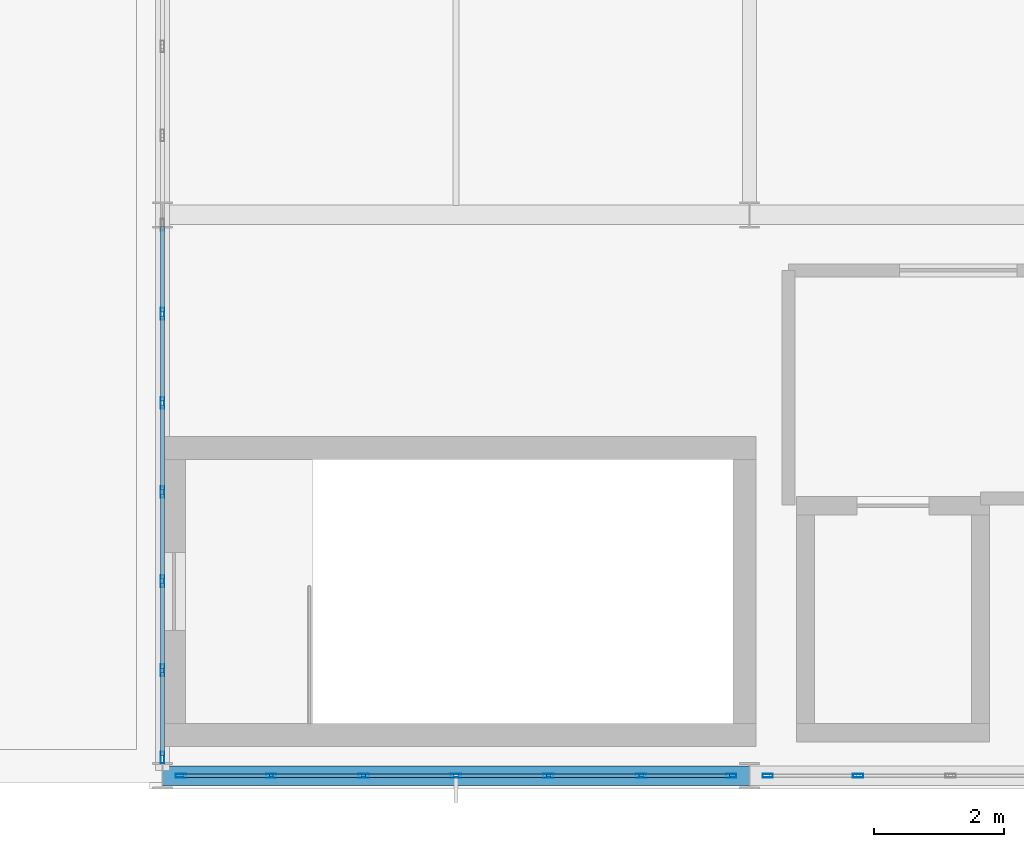
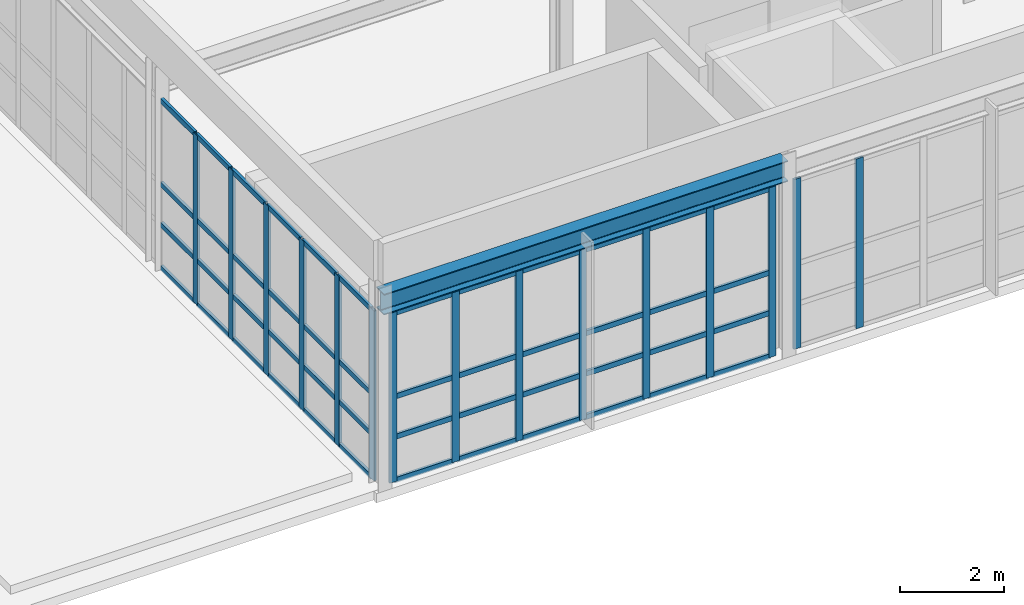
# One storey, part 6 of 38: 63 members, 1 beam, 3 elements without a shape of their own.
"""IFC4 building model written with IfcOpenShell, lengths in metres."""

from ifc_helpers import new_model, si_unit, direction, frame, origin, origin_2d, place, context, subcontext, project, spatial, hollow_rectangle, i_section, extrude, material, material_profile, profile_set, type_object, element, aggregate, save


model = new_model("IFC4")

# Units and contexts
model_context = context("Model", 3, precision=1e-05, world=origin(), true_north=direction((0.0, 1.0)))
body_context = subcontext(model_context, "Body", "Model", "MODEL_VIEW")
ifc_project = project(units=[si_unit("LENGTHUNIT", "METRE"), si_unit("AREAUNIT", "SQUARE_METRE"), si_unit("VOLUMEUNIT", "CUBIC_METRE"), si_unit("PLANEANGLEUNIT", "RADIAN"), si_unit("MASSUNIT", "GRAM", prefix="KILO")], contexts=[model_context])

# Site, building, storey
site_placement = place(None, origin())
site = spatial("IfcSite", under=ifc_project, at=site_placement, CompositionType="ELEMENT")
building_placement = place(site_placement, origin())
building = spatial("IfcBuilding", under=site, at=building_placement, Name="Kaldris Quays Convention Centre", CompositionType="ELEMENT")
storey_placement = place(building_placement, frame((0.0, 0.0, 21.60009765625)))
storey = spatial("IfcBuildingStorey", under=building, at=storey_placement, Name="L04", CompositionType="ELEMENT", Elevation=21.60009765625)

# Curtain wall, members
ifc_material_1 = material(Name="Anodized aluminium AW-6060 and triple glazing", Category="aluminium")
curtain_wall_type = type_object("IfcCurtainWallType", Name="UNITISED CURTAIN WALL CW04", PredefinedType="NOTDEFINED", material=ifc_material_1)
curtain_wall_1_placement = place(storey_placement, origin())
curtain_wall_1 = element("IfcCurtainWall", 1, at=curtain_wall_1_placement, inside=storey, type_object=curtain_wall_type, Name="L04 Unitised Curtain Wall CW04 129", PredefinedType="NOTDEFINED")
ifc_material_2 = material(Name="Anodized aluminium AW-6060", Category="aluminium")
ifc_material_profile_1 = material_profile(ifc_material_2, hollow_rectangle(XDim=0.06005859375, YDim=0.159912109375, WallThickness=0.00390625, at=origin_2d()), Name="RHS 160x60x4")
ifc_profile_set_1 = profile_set([ifc_material_profile_1], Name="Anodized aluminium AW-6060")
member_type_1 = type_object("IfcMemberType", Name="CURTAIN MULLION CWM1", PredefinedType="MULLION", material=ifc_profile_set_1)
member_1_placement = place(storey_placement, frame((92.280029296875, 38.0, 0.0), z_axis=(0.0, 0.0, 1.0), x_axis=(0.0, 1.0, 0.0)))
member_1 = element("IfcMember", 2, at=member_1_placement, type_object=member_type_1, Name="CW04 mullion 1", PredefinedType="MULLION", context=body_context, shape_type="SweptSolid", body=[
    extrude(hollow_rectangle(XDim=0.06005859375, YDim=0.159912109375, WallThickness=0.00390625, at=origin_2d()), origin(), (0.0, 0.0, 1.0), 4.0),
])
member_2_placement = place(storey_placement, frame((93.666748046875, 38.0, 0.0), z_axis=(0.0, 0.0, 1.0), x_axis=(0.0, 1.0, 0.0)))
member_2 = element("IfcMember", 3, at=member_2_placement, type_object=member_type_1, Name="CW04 mullion 2", PredefinedType="MULLION", context=body_context, shape_type="SweptSolid", body=[
    extrude(hollow_rectangle(XDim=0.06005859375, YDim=0.159912109375, WallThickness=0.00390625, at=origin_2d()), origin(), (0.0, 0.0, 1.0), 4.0),
])
member_3_placement = place(storey_placement, frame((95.083251953125, 38.0, 0.0), z_axis=(0.0, 0.0, 1.0), x_axis=(0.0, 1.0, 0.0)))
member_3 = element("IfcMember", 4, at=member_3_placement, type_object=member_type_1, Name="CW04 mullion 3", PredefinedType="MULLION", context=body_context, shape_type="SweptSolid", body=[
    extrude(hollow_rectangle(XDim=0.06005859375, YDim=0.159912109375, WallThickness=0.00390625, at=origin_2d()), origin(), (0.0, 0.0, 1.0), 4.0),
])
member_4_placement = place(storey_placement, frame((96.5, 38.0, 0.0), z_axis=(0.0, 0.0, 1.0), x_axis=(0.0, 1.0, 0.0)))
member_4 = element("IfcMember", 5, at=member_4_placement, type_object=member_type_1, Name="CW04 mullion 4", PredefinedType="MULLION", context=body_context, shape_type="SweptSolid", body=[
    extrude(hollow_rectangle(XDim=0.06005859375, YDim=0.159912109375, WallThickness=0.00390625, at=origin_2d()), origin(), (0.0, 0.0, 1.0), 4.0),
])
member_5_placement = place(storey_placement, frame((97.916748046875, 38.0, 0.0), z_axis=(0.0, 0.0, 1.0), x_axis=(0.0, 1.0, 0.0)))
member_5 = element("IfcMember", 6, at=member_5_placement, type_object=member_type_1, Name="CW04 mullion 5", PredefinedType="MULLION", context=body_context, shape_type="SweptSolid", body=[
    extrude(hollow_rectangle(XDim=0.06005859375, YDim=0.159912109375, WallThickness=0.00390625, at=origin_2d()), origin(), (0.0, 0.0, 1.0), 4.0),
])
member_6_placement = place(storey_placement, frame((99.333251953125, 38.0, 0.0), z_axis=(0.0, 0.0, 1.0), x_axis=(0.0, 1.0, 0.0)))
member_6 = element("IfcMember", 7, at=member_6_placement, type_object=member_type_1, Name="CW04 mullion 6", PredefinedType="MULLION", context=body_context, shape_type="SweptSolid", body=[
    extrude(hollow_rectangle(XDim=0.06005859375, YDim=0.159912109375, WallThickness=0.00390625, at=origin_2d()), origin(), (0.0, 0.0, 1.0), 4.0),
])
member_7_placement = place(storey_placement, frame((100.719970703125, 38.0, 0.0), z_axis=(0.0, 0.0, 1.0), x_axis=(0.0, 1.0, 0.0)))
member_7 = element("IfcMember", 8, at=member_7_placement, type_object=member_type_1, Name="CW04 mullion 7", PredefinedType="MULLION", context=body_context, shape_type="SweptSolid", body=[
    extrude(hollow_rectangle(XDim=0.06005859375, YDim=0.159912109375, WallThickness=0.00390625, at=origin_2d()), origin(), (0.0, 0.0, 1.0), 4.0),
])

curtain_wall_2_placement = place(storey_placement, origin())
curtain_wall_2 = element("IfcCurtainWall", 9, at=curtain_wall_2_placement, inside=storey, type_object=curtain_wall_type, Name="L04 Unitised Curtain Wall CW04 130", PredefinedType="NOTDEFINED")
member_8_placement = place(storey_placement, frame((101.280029296875, 38.0, 0.0), z_axis=(0.0, 0.0, 1.0), x_axis=(0.0, 1.0, 0.0)))
member_8 = element("IfcMember", 10, at=member_8_placement, type_object=member_type_1, Name="CW04 mullion 1", PredefinedType="MULLION", context=body_context, shape_type="SweptSolid", body=[
    extrude(hollow_rectangle(XDim=0.06005859375, YDim=0.159912109375, WallThickness=0.00390625, at=origin_2d()), origin(), (0.0, 0.0, 1.0), 4.0),
])
member_9_placement = place(storey_placement, frame((102.666748046875, 38.0, 0.0), z_axis=(0.0, 0.0, 1.0), x_axis=(0.0, 1.0, 0.0)))
member_9 = element("IfcMember", 11, at=member_9_placement, type_object=member_type_1, Name="CW04 mullion 2", PredefinedType="MULLION", context=body_context, shape_type="SweptSolid", body=[
    extrude(hollow_rectangle(XDim=0.06005859375, YDim=0.159912109375, WallThickness=0.00390625, at=origin_2d()), origin(), (0.0, 0.0, 1.0), 4.0),
])
aggregate(curtain_wall_2, [member_8, member_9])

curtain_wall_3_placement = place(storey_placement, origin())
curtain_wall_3 = element("IfcCurtainWall", 12, at=curtain_wall_3_placement, inside=storey, type_object=curtain_wall_type, Name="L04 Unitised Curtain Wall CW04 135", PredefinedType="NOTDEFINED")
ifc_material_profile_2 = material_profile(ifc_material_2, hollow_rectangle(XDim=0.06005859375, YDim=0.179931640625, WallThickness=0.0048828125, at=origin_2d()), Name="RHS 180x60x5")
ifc_profile_set_2 = profile_set([ifc_material_profile_2], Name="Anodized aluminium AW-6060")
member_type_2 = type_object("IfcMemberType", Name="CURTAIN MULLION CWM2", PredefinedType="MULLION", material=ifc_profile_set_2)
member_10_placement = place(storey_placement, frame((92.0, 38.280029296875, 0.0), z_axis=(0.0, 0.0, 1.0), x_axis=(-1.0, 0.0, 0.0)))
member_10 = element("IfcMember", 13, at=member_10_placement, type_object=member_type_2, Name="CW04 mullion 1", PredefinedType="MULLION", context=body_context, shape_type="SweptSolid", body=[
    extrude(hollow_rectangle(XDim=0.06005859375, YDim=0.179931640625, WallThickness=0.0048828125, at=origin_2d()), origin(), (0.0, 0.0, 1.0), 4.0),
])
member_11_placement = place(storey_placement, frame((92.0, 39.61669921875, 0.0), z_axis=(0.0, 0.0, 1.0), x_axis=(-1.0, 0.0, 0.0)))
member_11 = element("IfcMember", 14, at=member_11_placement, type_object=member_type_2, Name="CW04 mullion 2", PredefinedType="MULLION", context=body_context, shape_type="SweptSolid", body=[
    extrude(hollow_rectangle(XDim=0.06005859375, YDim=0.179931640625, WallThickness=0.0048828125, at=origin_2d()), origin(), (0.0, 0.0, 1.0), 4.0),
])
member_12_placement = place(storey_placement, frame((92.0, 40.9833984375, 0.0), z_axis=(0.0, 0.0, 1.0), x_axis=(-1.0, 0.0, 0.0)))
member_12 = element("IfcMember", 15, at=member_12_placement, type_object=member_type_2, Name="CW04 mullion 3", PredefinedType="MULLION", context=body_context, shape_type="SweptSolid", body=[
    extrude(hollow_rectangle(XDim=0.06005859375, YDim=0.179931640625, WallThickness=0.0048828125, at=origin_2d()), origin(), (0.0, 0.0, 1.0), 4.0),
])
member_13_placement = place(storey_placement, frame((92.0, 42.35009765625, 0.0), z_axis=(0.0, 0.0, 1.0), x_axis=(-1.0, 0.0, 0.0)))
member_13 = element("IfcMember", 16, at=member_13_placement, type_object=member_type_2, Name="CW04 mullion 4", PredefinedType="MULLION", context=body_context, shape_type="SweptSolid", body=[
    extrude(hollow_rectangle(XDim=0.06005859375, YDim=0.179931640625, WallThickness=0.0048828125, at=origin_2d()), origin(), (0.0, 0.0, 1.0), 4.0),
])
member_14_placement = place(storey_placement, frame((92.0, 43.716552734375, 0.0), z_axis=(0.0, 0.0, 1.0), x_axis=(-1.0, 0.0, 0.0)))
member_14 = element("IfcMember", 17, at=member_14_placement, type_object=member_type_2, Name="CW04 mullion 5", PredefinedType="MULLION", context=body_context, shape_type="SweptSolid", body=[
    extrude(hollow_rectangle(XDim=0.06005859375, YDim=0.179931640625, WallThickness=0.0048828125, at=origin_2d()), origin(), (0.0, 0.0, 1.0), 4.0),
])
member_15_placement = place(storey_placement, frame((92.0, 45.083251953125, 0.0), z_axis=(0.0, 0.0, 1.0), x_axis=(-1.0, 0.0, 0.0)))
member_15 = element("IfcMember", 18, at=member_15_placement, type_object=member_type_2, Name="CW04 mullion 6", PredefinedType="MULLION", context=body_context, shape_type="SweptSolid", body=[
    extrude(hollow_rectangle(XDim=0.06005859375, YDim=0.179931640625, WallThickness=0.0048828125, at=origin_2d()), origin(), (0.0, 0.0, 1.0), 4.0),
])

# Member
ifc_material_profile_3 = material_profile(ifc_material_2, hollow_rectangle(XDim=0.06005859375, YDim=0.1201171875, WallThickness=0.00390625, at=origin_2d()), Name="RHS 120x60x4")
ifc_profile_set_3 = profile_set([ifc_material_profile_3], Name="Anodized aluminium AW-6060")
member_type_3 = type_object("IfcMemberType", Name="CURTAIN TRANSOM CWT1", PredefinedType="USERDEFINED", material=ifc_profile_set_3)
member_16_placement = place(storey_placement, frame((92.31005859375, 38.0, 0.02978515625), z_axis=(1.0, 0.0, 0.0), x_axis=(0.0, 1.0, 0.0)))
member_16 = element("IfcMember", 19, at=member_16_placement, type_object=member_type_3, Name="CW04 transom 1.1", ObjectType="TRANSOM", PredefinedType="USERDEFINED", context=body_context, shape_type="SweptSolid", body=[
    extrude(hollow_rectangle(XDim=0.06005859375, YDim=0.1201171875, WallThickness=0.00390625, at=origin_2d()), origin(), (0.0, 0.0, 1.0), 1.32666015625),
])

member_17_placement = place(storey_placement, frame((92.31005859375, 38.0, 1.0498046875), z_axis=(1.0, 0.0, 0.0), x_axis=(0.0, 1.0, 0.0)))
member_17 = element("IfcMember", 20, at=member_17_placement, type_object=member_type_3, Name="CW04 transom 1.2", ObjectType="TRANSOM", PredefinedType="USERDEFINED", context=body_context, shape_type="SweptSolid", body=[
    extrude(hollow_rectangle(XDim=0.06005859375, YDim=0.1201171875, WallThickness=0.00390625, at=origin_2d()), origin(), (0.0, 0.0, 1.0), 1.32666015625),
])

member_18_placement = place(storey_placement, frame((92.31005859375, 38.0, 2.0), z_axis=(1.0, 0.0, 0.0), x_axis=(0.0, 1.0, 0.0)))
member_18 = element("IfcMember", 21, at=member_18_placement, type_object=member_type_3, Name="CW04 transom 1.3", ObjectType="TRANSOM", PredefinedType="USERDEFINED", context=body_context, shape_type="SweptSolid", body=[
    extrude(hollow_rectangle(XDim=0.06005859375, YDim=0.1201171875, WallThickness=0.00390625, at=origin_2d()), origin(), (0.0, 0.0, 1.0), 1.32666015625),
])

member_19_placement = place(storey_placement, frame((92.31005859375, 38.0, 3.969970703125), z_axis=(1.0, 0.0, 0.0), x_axis=(0.0, 1.0, 0.0)))
member_19 = element("IfcMember", 22, at=member_19_placement, type_object=member_type_3, Name="CW04 transom 1.4", ObjectType="TRANSOM", PredefinedType="USERDEFINED", context=body_context, shape_type="SweptSolid", body=[
    extrude(hollow_rectangle(XDim=0.06005859375, YDim=0.1201171875, WallThickness=0.00390625, at=origin_2d()), origin(), (0.0, 0.0, 1.0), 1.32666015625),
])

member_20_placement = place(storey_placement, frame((93.69677734375, 38.0, 0.02978515625), z_axis=(1.0, 0.0, 0.0), x_axis=(0.0, 1.0, 0.0)))
member_20 = element("IfcMember", 23, at=member_20_placement, type_object=member_type_3, Name="CW04 transom 2.1", ObjectType="TRANSOM", PredefinedType="USERDEFINED", context=body_context, shape_type="SweptSolid", body=[
    extrude(hollow_rectangle(XDim=0.06005859375, YDim=0.1201171875, WallThickness=0.00390625, at=origin_2d()), origin(), (0.0, 0.0, 1.0), 1.3564453125),
])

member_21_placement = place(storey_placement, frame((93.69677734375, 38.0, 1.0498046875), z_axis=(1.0, 0.0, 0.0), x_axis=(0.0, 1.0, 0.0)))
member_21 = element("IfcMember", 24, at=member_21_placement, type_object=member_type_3, Name="CW04 transom 2.2", ObjectType="TRANSOM", PredefinedType="USERDEFINED", context=body_context, shape_type="SweptSolid", body=[
    extrude(hollow_rectangle(XDim=0.06005859375, YDim=0.1201171875, WallThickness=0.00390625, at=origin_2d()), origin(), (0.0, 0.0, 1.0), 1.3564453125),
])

member_22_placement = place(storey_placement, frame((93.69677734375, 38.0, 2.0), z_axis=(1.0, 0.0, 0.0), x_axis=(0.0, 1.0, 0.0)))
member_22 = element("IfcMember", 25, at=member_22_placement, type_object=member_type_3, Name="CW04 transom 2.3", ObjectType="TRANSOM", PredefinedType="USERDEFINED", context=body_context, shape_type="SweptSolid", body=[
    extrude(hollow_rectangle(XDim=0.06005859375, YDim=0.1201171875, WallThickness=0.00390625, at=origin_2d()), origin(), (0.0, 0.0, 1.0), 1.3564453125),
])

member_23_placement = place(storey_placement, frame((93.69677734375, 38.0, 3.969970703125), z_axis=(1.0, 0.0, 0.0), x_axis=(0.0, 1.0, 0.0)))
member_23 = element("IfcMember", 26, at=member_23_placement, type_object=member_type_3, Name="CW04 transom 2.4", ObjectType="TRANSOM", PredefinedType="USERDEFINED", context=body_context, shape_type="SweptSolid", body=[
    extrude(hollow_rectangle(XDim=0.06005859375, YDim=0.1201171875, WallThickness=0.00390625, at=origin_2d()), origin(), (0.0, 0.0, 1.0), 1.3564453125),
])

member_24_placement = place(storey_placement, frame((95.11328125, 38.0, 0.02978515625), z_axis=(1.0, 0.0, 0.0), x_axis=(0.0, 1.0, 0.0)))
member_24 = element("IfcMember", 27, at=member_24_placement, type_object=member_type_3, Name="CW04 transom 3.1", ObjectType="TRANSOM", PredefinedType="USERDEFINED", context=body_context, shape_type="SweptSolid", body=[
    extrude(hollow_rectangle(XDim=0.06005859375, YDim=0.1201171875, WallThickness=0.00390625, at=origin_2d()), origin(), (0.0, 0.0, 1.0), 1.356689453125),
])

member_25_placement = place(storey_placement, frame((95.11328125, 38.0, 1.0498046875), z_axis=(1.0, 0.0, 0.0), x_axis=(0.0, 1.0, 0.0)))
member_25 = element("IfcMember", 28, at=member_25_placement, type_object=member_type_3, Name="CW04 transom 3.2", ObjectType="TRANSOM", PredefinedType="USERDEFINED", context=body_context, shape_type="SweptSolid", body=[
    extrude(hollow_rectangle(XDim=0.06005859375, YDim=0.1201171875, WallThickness=0.00390625, at=origin_2d()), origin(), (0.0, 0.0, 1.0), 1.356689453125),
])

member_26_placement = place(storey_placement, frame((95.11328125, 38.0, 2.0), z_axis=(1.0, 0.0, 0.0), x_axis=(0.0, 1.0, 0.0)))
member_26 = element("IfcMember", 29, at=member_26_placement, type_object=member_type_3, Name="CW04 transom 3.3", ObjectType="TRANSOM", PredefinedType="USERDEFINED", context=body_context, shape_type="SweptSolid", body=[
    extrude(hollow_rectangle(XDim=0.06005859375, YDim=0.1201171875, WallThickness=0.00390625, at=origin_2d()), origin(), (0.0, 0.0, 1.0), 1.356689453125),
])

member_27_placement = place(storey_placement, frame((95.11328125, 38.0, 3.969970703125), z_axis=(1.0, 0.0, 0.0), x_axis=(0.0, 1.0, 0.0)))
member_27 = element("IfcMember", 30, at=member_27_placement, type_object=member_type_3, Name="CW04 transom 3.4", ObjectType="TRANSOM", PredefinedType="USERDEFINED", context=body_context, shape_type="SweptSolid", body=[
    extrude(hollow_rectangle(XDim=0.06005859375, YDim=0.1201171875, WallThickness=0.00390625, at=origin_2d()), origin(), (0.0, 0.0, 1.0), 1.356689453125),
])

member_28_placement = place(storey_placement, frame((96.530029296875, 38.0, 0.02978515625), z_axis=(1.0, 0.0, 0.0), x_axis=(0.0, 1.0, 0.0)))
member_28 = element("IfcMember", 31, at=member_28_placement, type_object=member_type_3, Name="CW04 transom 4.1", ObjectType="TRANSOM", PredefinedType="USERDEFINED", context=body_context, shape_type="SweptSolid", body=[
    extrude(hollow_rectangle(XDim=0.06005859375, YDim=0.1201171875, WallThickness=0.00390625, at=origin_2d()), origin(), (0.0, 0.0, 1.0), 1.356689453125),
])

member_29_placement = place(storey_placement, frame((96.530029296875, 38.0, 1.0498046875), z_axis=(1.0, 0.0, 0.0), x_axis=(0.0, 1.0, 0.0)))
member_29 = element("IfcMember", 32, at=member_29_placement, type_object=member_type_3, Name="CW04 transom 4.2", ObjectType="TRANSOM", PredefinedType="USERDEFINED", context=body_context, shape_type="SweptSolid", body=[
    extrude(hollow_rectangle(XDim=0.06005859375, YDim=0.1201171875, WallThickness=0.00390625, at=origin_2d()), origin(), (0.0, 0.0, 1.0), 1.356689453125),
])

member_30_placement = place(storey_placement, frame((96.530029296875, 38.0, 2.0), z_axis=(1.0, 0.0, 0.0), x_axis=(0.0, 1.0, 0.0)))
member_30 = element("IfcMember", 33, at=member_30_placement, type_object=member_type_3, Name="CW04 transom 4.3", ObjectType="TRANSOM", PredefinedType="USERDEFINED", context=body_context, shape_type="SweptSolid", body=[
    extrude(hollow_rectangle(XDim=0.06005859375, YDim=0.1201171875, WallThickness=0.00390625, at=origin_2d()), origin(), (0.0, 0.0, 1.0), 1.356689453125),
])

member_31_placement = place(storey_placement, frame((96.530029296875, 38.0, 3.969970703125), z_axis=(1.0, 0.0, 0.0), x_axis=(0.0, 1.0, 0.0)))
member_31 = element("IfcMember", 34, at=member_31_placement, type_object=member_type_3, Name="CW04 transom 4.4", ObjectType="TRANSOM", PredefinedType="USERDEFINED", context=body_context, shape_type="SweptSolid", body=[
    extrude(hollow_rectangle(XDim=0.06005859375, YDim=0.1201171875, WallThickness=0.00390625, at=origin_2d()), origin(), (0.0, 0.0, 1.0), 1.356689453125),
])

member_32_placement = place(storey_placement, frame((97.94677734375, 38.0, 0.02978515625), z_axis=(1.0, 0.0, 0.0), x_axis=(0.0, 1.0, 0.0)))
member_32 = element("IfcMember", 35, at=member_32_placement, type_object=member_type_3, Name="CW04 transom 5.1", ObjectType="TRANSOM", PredefinedType="USERDEFINED", context=body_context, shape_type="SweptSolid", body=[
    extrude(hollow_rectangle(XDim=0.06005859375, YDim=0.1201171875, WallThickness=0.00390625, at=origin_2d()), origin(), (0.0, 0.0, 1.0), 1.3564453125),
])

member_33_placement = place(storey_placement, frame((97.94677734375, 38.0, 1.0498046875), z_axis=(1.0, 0.0, 0.0), x_axis=(0.0, 1.0, 0.0)))
member_33 = element("IfcMember", 36, at=member_33_placement, type_object=member_type_3, Name="CW04 transom 5.2", ObjectType="TRANSOM", PredefinedType="USERDEFINED", context=body_context, shape_type="SweptSolid", body=[
    extrude(hollow_rectangle(XDim=0.06005859375, YDim=0.1201171875, WallThickness=0.00390625, at=origin_2d()), origin(), (0.0, 0.0, 1.0), 1.3564453125),
])

member_34_placement = place(storey_placement, frame((97.94677734375, 38.0, 2.0), z_axis=(1.0, 0.0, 0.0), x_axis=(0.0, 1.0, 0.0)))
member_34 = element("IfcMember", 37, at=member_34_placement, type_object=member_type_3, Name="CW04 transom 5.3", ObjectType="TRANSOM", PredefinedType="USERDEFINED", context=body_context, shape_type="SweptSolid", body=[
    extrude(hollow_rectangle(XDim=0.06005859375, YDim=0.1201171875, WallThickness=0.00390625, at=origin_2d()), origin(), (0.0, 0.0, 1.0), 1.3564453125),
])

member_35_placement = place(storey_placement, frame((97.94677734375, 38.0, 3.969970703125), z_axis=(1.0, 0.0, 0.0), x_axis=(0.0, 1.0, 0.0)))
member_35 = element("IfcMember", 38, at=member_35_placement, type_object=member_type_3, Name="CW04 transom 5.4", ObjectType="TRANSOM", PredefinedType="USERDEFINED", context=body_context, shape_type="SweptSolid", body=[
    extrude(hollow_rectangle(XDim=0.06005859375, YDim=0.1201171875, WallThickness=0.00390625, at=origin_2d()), origin(), (0.0, 0.0, 1.0), 1.3564453125),
])

member_36_placement = place(storey_placement, frame((99.36328125, 38.0, 0.02978515625), z_axis=(1.0, 0.0, 0.0), x_axis=(0.0, 1.0, 0.0)))
member_36 = element("IfcMember", 39, at=member_36_placement, type_object=member_type_3, Name="CW04 transom 6.1", ObjectType="TRANSOM", PredefinedType="USERDEFINED", context=body_context, shape_type="SweptSolid", body=[
    extrude(hollow_rectangle(XDim=0.06005859375, YDim=0.1201171875, WallThickness=0.00390625, at=origin_2d()), origin(), (0.0, 0.0, 1.0), 1.32666015625),
])

member_37_placement = place(storey_placement, frame((99.36328125, 38.0, 1.0498046875), z_axis=(1.0, 0.0, 0.0), x_axis=(0.0, 1.0, 0.0)))
member_37 = element("IfcMember", 40, at=member_37_placement, type_object=member_type_3, Name="CW04 transom 6.2", ObjectType="TRANSOM", PredefinedType="USERDEFINED", context=body_context, shape_type="SweptSolid", body=[
    extrude(hollow_rectangle(XDim=0.06005859375, YDim=0.1201171875, WallThickness=0.00390625, at=origin_2d()), origin(), (0.0, 0.0, 1.0), 1.32666015625),
])

member_38_placement = place(storey_placement, frame((99.36328125, 38.0, 2.0), z_axis=(1.0, 0.0, 0.0), x_axis=(0.0, 1.0, 0.0)))
member_38 = element("IfcMember", 41, at=member_38_placement, type_object=member_type_3, Name="CW04 transom 6.3", ObjectType="TRANSOM", PredefinedType="USERDEFINED", context=body_context, shape_type="SweptSolid", body=[
    extrude(hollow_rectangle(XDim=0.06005859375, YDim=0.1201171875, WallThickness=0.00390625, at=origin_2d()), origin(), (0.0, 0.0, 1.0), 1.32666015625),
])

member_39_placement = place(storey_placement, frame((99.36328125, 38.0, 3.969970703125), z_axis=(1.0, 0.0, 0.0), x_axis=(0.0, 1.0, 0.0)))
member_39 = element("IfcMember", 42, at=member_39_placement, type_object=member_type_3, Name="CW04 transom 6.4", ObjectType="TRANSOM", PredefinedType="USERDEFINED", context=body_context, shape_type="SweptSolid", body=[
    extrude(hollow_rectangle(XDim=0.06005859375, YDim=0.1201171875, WallThickness=0.00390625, at=origin_2d()), origin(), (0.0, 0.0, 1.0), 1.32666015625),
])

aggregate(curtain_wall_1, [member_1, member_2, member_3, member_4, member_5, member_6, member_7, member_16, member_17, member_18, member_19, member_20, member_21, member_22, member_23, member_24, member_25, member_26, member_27, member_28, member_29, member_30, member_31, member_32, member_33, member_34, member_35, member_36, member_37, member_38, member_39])

member_40_placement = place(storey_placement, frame((92.0, 38.31005859375, 0.02978515625), z_axis=(0.0, 1.0, 0.0), x_axis=(-1.0, 0.0, 0.0)))
member_40 = element("IfcMember", 43, at=member_40_placement, type_object=member_type_3, Name="CW04 transom 1.1", ObjectType="TRANSOM", PredefinedType="USERDEFINED", context=body_context, shape_type="SweptSolid", body=[
    extrude(hollow_rectangle(XDim=0.06005859375, YDim=0.1201171875, WallThickness=0.00390625, at=origin_2d()), origin(), (0.0, 0.0, 1.0), 1.276611328125),
])

member_41_placement = place(storey_placement, frame((92.0, 38.31005859375, 1.0498046875), z_axis=(0.0, 1.0, 0.0), x_axis=(-1.0, 0.0, 0.0)))
member_41 = element("IfcMember", 44, at=member_41_placement, type_object=member_type_3, Name="CW04 transom 1.2", ObjectType="TRANSOM", PredefinedType="USERDEFINED", context=body_context, shape_type="SweptSolid", body=[
    extrude(hollow_rectangle(XDim=0.06005859375, YDim=0.1201171875, WallThickness=0.00390625, at=origin_2d()), origin(), (0.0, 0.0, 1.0), 1.276611328125),
])

member_42_placement = place(storey_placement, frame((92.0, 38.31005859375, 2.0), z_axis=(0.0, 1.0, 0.0), x_axis=(-1.0, 0.0, 0.0)))
member_42 = element("IfcMember", 45, at=member_42_placement, type_object=member_type_3, Name="CW04 transom 1.3", ObjectType="TRANSOM", PredefinedType="USERDEFINED", context=body_context, shape_type="SweptSolid", body=[
    extrude(hollow_rectangle(XDim=0.06005859375, YDim=0.1201171875, WallThickness=0.00390625, at=origin_2d()), origin(), (0.0, 0.0, 1.0), 1.276611328125),
])

member_43_placement = place(storey_placement, frame((92.0, 38.31005859375, 3.969970703125), z_axis=(0.0, 1.0, 0.0), x_axis=(-1.0, 0.0, 0.0)))
member_43 = element("IfcMember", 46, at=member_43_placement, type_object=member_type_3, Name="CW04 transom 1.4", ObjectType="TRANSOM", PredefinedType="USERDEFINED", context=body_context, shape_type="SweptSolid", body=[
    extrude(hollow_rectangle(XDim=0.06005859375, YDim=0.1201171875, WallThickness=0.00390625, at=origin_2d()), origin(), (0.0, 0.0, 1.0), 1.276611328125),
])

member_44_placement = place(storey_placement, frame((92.0, 39.646728515625, 0.02978515625), z_axis=(0.0, 1.0, 0.0), x_axis=(-1.0, 0.0, 0.0)))
member_44 = element("IfcMember", 47, at=member_44_placement, type_object=member_type_3, Name="CW04 transom 2.1", ObjectType="TRANSOM", PredefinedType="USERDEFINED", context=body_context, shape_type="SweptSolid", body=[
    extrude(hollow_rectangle(XDim=0.06005859375, YDim=0.1201171875, WallThickness=0.00390625, at=origin_2d()), origin(), (0.0, 0.0, 1.0), 1.306640625),
])

member_45_placement = place(storey_placement, frame((92.0, 39.646728515625, 1.0498046875), z_axis=(0.0, 1.0, 0.0), x_axis=(-1.0, 0.0, 0.0)))
member_45 = element("IfcMember", 48, at=member_45_placement, type_object=member_type_3, Name="CW04 transom 2.2", ObjectType="TRANSOM", PredefinedType="USERDEFINED", context=body_context, shape_type="SweptSolid", body=[
    extrude(hollow_rectangle(XDim=0.06005859375, YDim=0.1201171875, WallThickness=0.00390625, at=origin_2d()), origin(), (0.0, 0.0, 1.0), 1.306640625),
])

member_46_placement = place(storey_placement, frame((92.0, 39.646728515625, 2.0), z_axis=(0.0, 1.0, 0.0), x_axis=(-1.0, 0.0, 0.0)))
member_46 = element("IfcMember", 49, at=member_46_placement, type_object=member_type_3, Name="CW04 transom 2.3", ObjectType="TRANSOM", PredefinedType="USERDEFINED", context=body_context, shape_type="SweptSolid", body=[
    extrude(hollow_rectangle(XDim=0.06005859375, YDim=0.1201171875, WallThickness=0.00390625, at=origin_2d()), origin(), (0.0, 0.0, 1.0), 1.306640625),
])

member_47_placement = place(storey_placement, frame((92.0, 39.646728515625, 3.969970703125), z_axis=(0.0, 1.0, 0.0), x_axis=(-1.0, 0.0, 0.0)))
member_47 = element("IfcMember", 50, at=member_47_placement, type_object=member_type_3, Name="CW04 transom 2.4", ObjectType="TRANSOM", PredefinedType="USERDEFINED", context=body_context, shape_type="SweptSolid", body=[
    extrude(hollow_rectangle(XDim=0.06005859375, YDim=0.1201171875, WallThickness=0.00390625, at=origin_2d()), origin(), (0.0, 0.0, 1.0), 1.306640625),
])

member_48_placement = place(storey_placement, frame((92.0, 41.013427734375, 0.02978515625), z_axis=(0.0, 1.0, 0.0), x_axis=(-1.0, 0.0, 0.0)))
member_48 = element("IfcMember", 51, at=member_48_placement, type_object=member_type_3, Name="CW04 transom 3.1", ObjectType="TRANSOM", PredefinedType="USERDEFINED", context=body_context, shape_type="SweptSolid", body=[
    extrude(hollow_rectangle(XDim=0.06005859375, YDim=0.1201171875, WallThickness=0.00390625, at=origin_2d()), origin(), (0.0, 0.0, 1.0), 1.306640625),
])

member_49_placement = place(storey_placement, frame((92.0, 41.013427734375, 1.0498046875), z_axis=(0.0, 1.0, 0.0), x_axis=(-1.0, 0.0, 0.0)))
member_49 = element("IfcMember", 52, at=member_49_placement, type_object=member_type_3, Name="CW04 transom 3.2", ObjectType="TRANSOM", PredefinedType="USERDEFINED", context=body_context, shape_type="SweptSolid", body=[
    extrude(hollow_rectangle(XDim=0.06005859375, YDim=0.1201171875, WallThickness=0.00390625, at=origin_2d()), origin(), (0.0, 0.0, 1.0), 1.306640625),
])

member_50_placement = place(storey_placement, frame((92.0, 41.013427734375, 2.0), z_axis=(0.0, 1.0, 0.0), x_axis=(-1.0, 0.0, 0.0)))
member_50 = element("IfcMember", 53, at=member_50_placement, type_object=member_type_3, Name="CW04 transom 3.3", ObjectType="TRANSOM", PredefinedType="USERDEFINED", context=body_context, shape_type="SweptSolid", body=[
    extrude(hollow_rectangle(XDim=0.06005859375, YDim=0.1201171875, WallThickness=0.00390625, at=origin_2d()), origin(), (0.0, 0.0, 1.0), 1.306640625),
])

member_51_placement = place(storey_placement, frame((92.0, 41.013427734375, 3.969970703125), z_axis=(0.0, 1.0, 0.0), x_axis=(-1.0, 0.0, 0.0)))
member_51 = element("IfcMember", 54, at=member_51_placement, type_object=member_type_3, Name="CW04 transom 3.4", ObjectType="TRANSOM", PredefinedType="USERDEFINED", context=body_context, shape_type="SweptSolid", body=[
    extrude(hollow_rectangle(XDim=0.06005859375, YDim=0.1201171875, WallThickness=0.00390625, at=origin_2d()), origin(), (0.0, 0.0, 1.0), 1.306640625),
])

member_52_placement = place(storey_placement, frame((92.0, 42.3798828125, 0.02978515625), z_axis=(0.0, 1.0, 0.0), x_axis=(-1.0, 0.0, 0.0)))
member_52 = element("IfcMember", 55, at=member_52_placement, type_object=member_type_3, Name="CW04 transom 4.1", ObjectType="TRANSOM", PredefinedType="USERDEFINED", context=body_context, shape_type="SweptSolid", body=[
    extrude(hollow_rectangle(XDim=0.06005859375, YDim=0.1201171875, WallThickness=0.00390625, at=origin_2d()), origin(), (0.0, 0.0, 1.0), 1.306884765625),
])

member_53_placement = place(storey_placement, frame((92.0, 42.3798828125, 1.0498046875), z_axis=(0.0, 1.0, 0.0), x_axis=(-1.0, 0.0, 0.0)))
member_53 = element("IfcMember", 56, at=member_53_placement, type_object=member_type_3, Name="CW04 transom 4.2", ObjectType="TRANSOM", PredefinedType="USERDEFINED", context=body_context, shape_type="SweptSolid", body=[
    extrude(hollow_rectangle(XDim=0.06005859375, YDim=0.1201171875, WallThickness=0.00390625, at=origin_2d()), origin(), (0.0, 0.0, 1.0), 1.306884765625),
])

member_54_placement = place(storey_placement, frame((92.0, 42.3798828125, 2.0), z_axis=(0.0, 1.0, 0.0), x_axis=(-1.0, 0.0, 0.0)))
member_54 = element("IfcMember", 57, at=member_54_placement, type_object=member_type_3, Name="CW04 transom 4.3", ObjectType="TRANSOM", PredefinedType="USERDEFINED", context=body_context, shape_type="SweptSolid", body=[
    extrude(hollow_rectangle(XDim=0.06005859375, YDim=0.1201171875, WallThickness=0.00390625, at=origin_2d()), origin(), (0.0, 0.0, 1.0), 1.306884765625),
])

member_55_placement = place(storey_placement, frame((92.0, 42.3798828125, 3.969970703125), z_axis=(0.0, 1.0, 0.0), x_axis=(-1.0, 0.0, 0.0)))
member_55 = element("IfcMember", 58, at=member_55_placement, type_object=member_type_3, Name="CW04 transom 4.4", ObjectType="TRANSOM", PredefinedType="USERDEFINED", context=body_context, shape_type="SweptSolid", body=[
    extrude(hollow_rectangle(XDim=0.06005859375, YDim=0.1201171875, WallThickness=0.00390625, at=origin_2d()), origin(), (0.0, 0.0, 1.0), 1.306884765625),
])

member_56_placement = place(storey_placement, frame((92.0, 43.74658203125, 0.02978515625), z_axis=(0.0, 1.0, 0.0), x_axis=(-1.0, 0.0, 0.0)))
member_56 = element("IfcMember", 59, at=member_56_placement, type_object=member_type_3, Name="CW04 transom 5.1", ObjectType="TRANSOM", PredefinedType="USERDEFINED", context=body_context, shape_type="SweptSolid", body=[
    extrude(hollow_rectangle(XDim=0.06005859375, YDim=0.1201171875, WallThickness=0.00390625, at=origin_2d()), origin(), (0.0, 0.0, 1.0), 1.306640625),
])

member_57_placement = place(storey_placement, frame((92.0, 43.74658203125, 1.0498046875), z_axis=(0.0, 1.0, 0.0), x_axis=(-1.0, 0.0, 0.0)))
member_57 = element("IfcMember", 60, at=member_57_placement, type_object=member_type_3, Name="CW04 transom 5.2", ObjectType="TRANSOM", PredefinedType="USERDEFINED", context=body_context, shape_type="SweptSolid", body=[
    extrude(hollow_rectangle(XDim=0.06005859375, YDim=0.1201171875, WallThickness=0.00390625, at=origin_2d()), origin(), (0.0, 0.0, 1.0), 1.306640625),
])

member_58_placement = place(storey_placement, frame((92.0, 43.74658203125, 2.0), z_axis=(0.0, 1.0, 0.0), x_axis=(-1.0, 0.0, 0.0)))
member_58 = element("IfcMember", 61, at=member_58_placement, type_object=member_type_3, Name="CW04 transom 5.3", ObjectType="TRANSOM", PredefinedType="USERDEFINED", context=body_context, shape_type="SweptSolid", body=[
    extrude(hollow_rectangle(XDim=0.06005859375, YDim=0.1201171875, WallThickness=0.00390625, at=origin_2d()), origin(), (0.0, 0.0, 1.0), 1.306640625),
])

member_59_placement = place(storey_placement, frame((92.0, 43.74658203125, 3.969970703125), z_axis=(0.0, 1.0, 0.0), x_axis=(-1.0, 0.0, 0.0)))
member_59 = element("IfcMember", 62, at=member_59_placement, type_object=member_type_3, Name="CW04 transom 5.4", ObjectType="TRANSOM", PredefinedType="USERDEFINED", context=body_context, shape_type="SweptSolid", body=[
    extrude(hollow_rectangle(XDim=0.06005859375, YDim=0.1201171875, WallThickness=0.00390625, at=origin_2d()), origin(), (0.0, 0.0, 1.0), 1.306640625),
])

member_60_placement = place(storey_placement, frame((92.0, 45.11328125, 0.02978515625), z_axis=(0.0, 1.0, 0.0), x_axis=(-1.0, 0.0, 0.0)))
member_60 = element("IfcMember", 63, at=member_60_placement, type_object=member_type_3, Name="CW04 transom 6.1", ObjectType="TRANSOM", PredefinedType="USERDEFINED", context=body_context, shape_type="SweptSolid", body=[
    extrude(hollow_rectangle(XDim=0.06005859375, YDim=0.1201171875, WallThickness=0.00390625, at=origin_2d()), origin(), (0.0, 0.0, 1.0), 1.306640625),
])

member_61_placement = place(storey_placement, frame((92.0, 45.11328125, 1.0498046875), z_axis=(0.0, 1.0, 0.0), x_axis=(-1.0, 0.0, 0.0)))
member_61 = element("IfcMember", 64, at=member_61_placement, type_object=member_type_3, Name="CW04 transom 6.2", ObjectType="TRANSOM", PredefinedType="USERDEFINED", context=body_context, shape_type="SweptSolid", body=[
    extrude(hollow_rectangle(XDim=0.06005859375, YDim=0.1201171875, WallThickness=0.00390625, at=origin_2d()), origin(), (0.0, 0.0, 1.0), 1.306640625),
])

member_62_placement = place(storey_placement, frame((92.0, 45.11328125, 2.0), z_axis=(0.0, 1.0, 0.0), x_axis=(-1.0, 0.0, 0.0)))
member_62 = element("IfcMember", 65, at=member_62_placement, type_object=member_type_3, Name="CW04 transom 6.3", ObjectType="TRANSOM", PredefinedType="USERDEFINED", context=body_context, shape_type="SweptSolid", body=[
    extrude(hollow_rectangle(XDim=0.06005859375, YDim=0.1201171875, WallThickness=0.00390625, at=origin_2d()), origin(), (0.0, 0.0, 1.0), 1.306640625),
])

member_63_placement = place(storey_placement, frame((92.0, 45.11328125, 3.969970703125), z_axis=(0.0, 1.0, 0.0), x_axis=(-1.0, 0.0, 0.0)))
member_63 = element("IfcMember", 66, at=member_63_placement, type_object=member_type_3, Name="CW04 transom 6.4", ObjectType="TRANSOM", PredefinedType="USERDEFINED", context=body_context, shape_type="SweptSolid", body=[
    extrude(hollow_rectangle(XDim=0.06005859375, YDim=0.1201171875, WallThickness=0.00390625, at=origin_2d()), origin(), (0.0, 0.0, 1.0), 1.306640625),
])

aggregate(curtain_wall_3, [member_10, member_11, member_12, member_13, member_14, member_15, member_40, member_41, member_42, member_43, member_44, member_45, member_46, member_47, member_48, member_49, member_50, member_51, member_52, member_53, member_54, member_55, member_56, member_57, member_58, member_59, member_60, member_61, member_62, member_63])

# Beam
ifc_material_3 = material(Name="Steel S355J2", Category="steel")
ifc_material_profile_4 = material_profile(ifc_material_3, i_section(OverallWidth=0.300048828125, OverallDepth=0.489990234375, WebThickness=0.011962890625, FlangeThickness=0.02294921875, FilletRadius=0.027099609375, at=origin_2d()), Name="HEA 500")
ifc_profile_set_4 = profile_set([ifc_material_profile_4], Name="Steel S355J2")
beam_type = type_object("IfcBeamType", Name="STRUCTURAL BEAM BM09", PredefinedType="BEAM", material=ifc_profile_set_4)
beam_placement = place(storey_placement, frame((92.000732421875, 38.0, 4.347900390625), z_axis=(1.0, 0.0, 0.0), x_axis=(0.0, 1.0, 0.0)))
element("IfcBeam", 67, at=beam_placement, inside=storey, type_object=beam_type, Name="L04 Girder BM09 1", PredefinedType="BEAM", context=body_context, shape_type="SweptSolid", body=[
    extrude(i_section(OverallWidth=0.300048828125, OverallDepth=0.489990234375, WebThickness=0.011962890625, FlangeThickness=0.02294921875, FilletRadius=0.027099609375, at=origin_2d()), origin(), (0.0, 0.0, 1.0), 8.99853515625),
])

save(model, "model.ifc")
